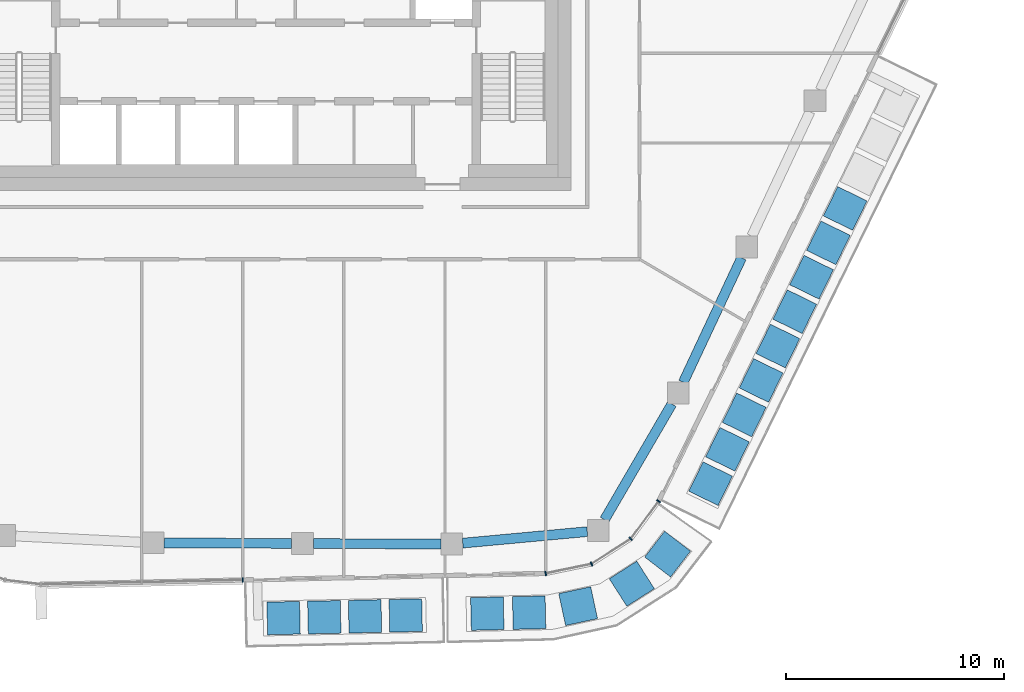
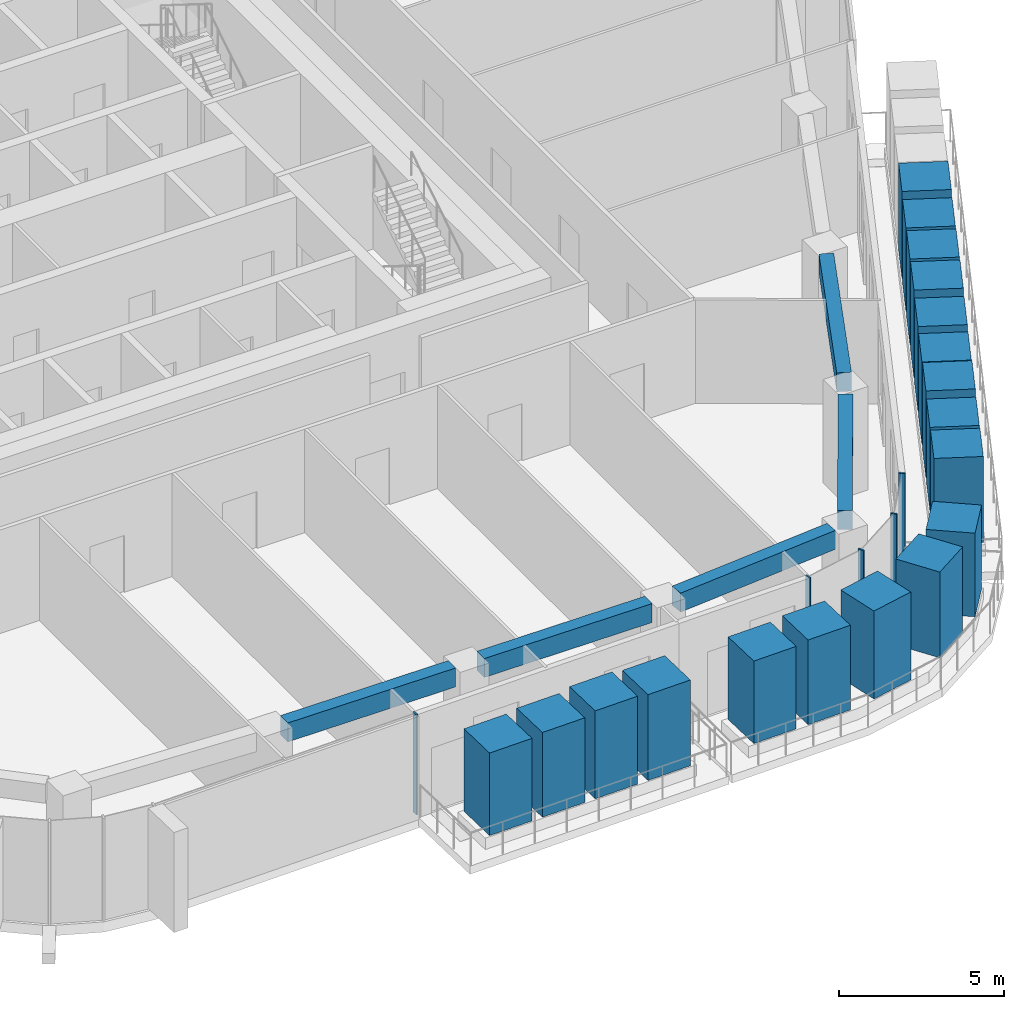
# One storey, part 4 of 23: 23 members, 5 beams, 2 elements without a shape of their own.
"""IFC4 building model written with IfcOpenShell, lengths in metres."""

from ifc_helpers import new_model, si_unit, direction, frame, origin, origin_2d, place, context, subcontext, project, spatial, rectangle, extrude, material, layer, layer_set, material_profile, profile_set, type_object, element, aggregate, save


model = new_model("IFC4")

# Units and contexts
model_context = context("Model", 3, precision=1e-05, world=origin(), true_north=direction((0.0, 1.0)))
body_context = subcontext(model_context, "Body", "Model", "MODEL_VIEW")
ifc_project = project(units=[si_unit("LENGTHUNIT", "METRE"), si_unit("AREAUNIT", "SQUARE_METRE"), si_unit("VOLUMEUNIT", "CUBIC_METRE"), si_unit("PLANEANGLEUNIT", "RADIAN"), si_unit("MASSUNIT", "GRAM", prefix="KILO")], contexts=[model_context])

# Site, building, storey
site_placement = place(None, origin())
site = spatial("IfcSite", under=ifc_project, at=site_placement, CompositionType="ELEMENT")
building_placement = place(site_placement, origin())
building = spatial("IfcBuilding", under=site, at=building_placement, Name="Dongbaek Canopy Tower", CompositionType="ELEMENT")
storey_placement = place(building_placement, frame((0.0, 0.0, 336.199951171875)))
storey = spatial("IfcBuildingStorey", under=building, at=storey_placement, Name="L72", CompositionType="ELEMENT", Elevation=336.199951171875)

# Curtain wall, member
ifc_material_1 = material(Name="Aluminium 6063-T6 pale anodised", Category="aluminium")
ifc_layer = layer(ifc_material_1, 0.199951171875)
ifc_layer_set = layer_set([ifc_layer], Name="CW-1 unitised tower curtain wall")
curtain_wall_type = type_object("IfcCurtainWallType", Name="CW-1 unitised tower curtain wall", PredefinedType="NOTDEFINED", material=ifc_layer_set)
curtain_wall_1_placement = place(storey_placement, origin())
curtain_wall_1 = element("IfcCurtainWall", 1, at=curtain_wall_1_placement, inside=storey, type_object=curtain_wall_type, Name="CW-1 curtain wall F4.1", PredefinedType="NOTDEFINED")
ifc_material_2 = material(Name="Aluminium 6063-T6 pale anodised", Category="aluminium")
ifc_material_profile_1 = material_profile(ifc_material_2, rectangle(XDim=0.199951171875, YDim=0.06005859375, at=origin_2d()), Name="CW-1 mullion 60 x 200")
ifc_profile_set_1 = profile_set([ifc_material_profile_1], Name="Aluminium 6063-T6 pale anodised")
member_type_1 = type_object("IfcMemberType", Name="CW-1 mullion 60 x 200", PredefinedType="MULLION", material=ifc_profile_set_1)
member_1_placement = place(storey_placement, frame((-1.06103515625, -28.872802734375, 0.1201171875), z_axis=(0.0, 0.0, 1.0), x_axis=(0.021675843976, -0.999765051294, 0.0)))
member_1 = element("IfcMember", 2, at=member_1_placement, type_object=member_type_1, Name="CW-1 mullion F4.1.3", PredefinedType="MULLION", context=body_context, shape_type="SweptSolid", body=[
    extrude(rectangle(XDim=0.199951171875, YDim=0.06005859375, at=origin_2d()), origin(), (0.0, 0.0, 1.0), 3.699951171875),
])
aggregate(curtain_wall_1, [member_1])

# Curtain wall, members
curtain_wall_2_placement = place(storey_placement, origin())
curtain_wall_2 = element("IfcCurtainWall", 3, at=curtain_wall_2_placement, inside=storey, type_object=curtain_wall_type, Name="CW-1 curtain wall K5.1", PredefinedType="NOTDEFINED")
member_2_placement = place(storey_placement, frame((12.842041015625, -28.5712890625, 0.0), z_axis=(0.0, 0.0, 1.0), x_axis=(0.20264074946, -0.979253147382, 0.0)))
member_2 = element("IfcMember", 4, at=member_2_placement, type_object=member_type_1, Name="CW-1 mullion K5.1.1", PredefinedType="MULLION", context=body_context, shape_type="SweptSolid", body=[
    extrude(rectangle(XDim=0.199951171875, YDim=0.06005859375, at=origin_2d()), origin(), (0.0, 0.0, 1.0), 3.820068359375),
])
member_3_placement = place(storey_placement, frame((14.9462890625, -28.1357421875, 0.0), z_axis=(0.0, 0.0, 1.0), x_axis=(0.376884256804, -0.926260361331, 0.0)))
member_3 = element("IfcMember", 5, at=member_3_placement, type_object=member_type_1, Name="CW-1 mullion K5.1.2", PredefinedType="MULLION", context=body_context, shape_type="SweptSolid", body=[
    extrude(rectangle(XDim=0.199951171875, YDim=0.06005859375, at=origin_2d()), origin(), (0.0, 0.0, 1.0), 3.820068359375),
])
member_4_placement = place(storey_placement, frame((16.7490234375, -26.9833984375, 0.0), z_axis=(0.0, 0.0, 1.0), x_axis=(0.682503763245, -0.730882078831, 0.0)))
member_4 = element("IfcMember", 6, at=member_4_placement, type_object=member_type_1, Name="CW-1 mullion K5.1.3", PredefinedType="MULLION", context=body_context, shape_type="SweptSolid", body=[
    extrude(rectangle(XDim=0.199951171875, YDim=0.06005859375, at=origin_2d()), origin(), (0.0, 0.0, 1.0), 3.820068359375),
])
member_5_placement = place(storey_placement, frame((18.02734375, -25.25634765625, 0.0), z_axis=(0.0, 0.0, 1.0), x_axis=(0.803742658172, -0.594977091521, 0.0)))
member_5 = element("IfcMember", 7, at=member_5_placement, type_object=member_type_1, Name="CW-1 mullion K5.1.4", PredefinedType="MULLION", context=body_context, shape_type="SweptSolid", body=[
    extrude(rectangle(XDim=0.199951171875, YDim=0.06005859375, at=origin_2d()), origin(), (0.0, 0.0, 1.0), 3.820068359375),
])
aggregate(curtain_wall_2, [member_2, member_3, member_4, member_5])

# Beams
ifc_material_3 = material(Name="Concrete C60", Category="concrete")
ifc_material_profile_2 = material_profile(ifc_material_3, rectangle(XDim=0.449951171875, YDim=0.699951171875, at=origin_2d()), Name="RC EDGE BEAM 450x700 C60")
ifc_profile_set_2 = profile_set([ifc_material_profile_2], Name="Concrete C60")
beam_type = type_object("IfcBeamType", Name="RC EDGE BEAM 450x700 C60", PredefinedType="BEAM", material=ifc_profile_set_2)
beam_1_placement = place(storey_placement, frame((14.751953125, -26.653076171875, 3.469970703125), z_axis=(-0.995766439544, -0.091919518479, 0.0), x_axis=(0.091919518479, -0.995766439544, 0.0)))
element("IfcBeam", 8, at=beam_1_placement, inside=storey, type_object=beam_type, Name="EDGEBEAM:L72:00", PredefinedType="BEAM", context=body_context, shape_type="SweptSolid", body=[
    extrude(rectangle(XDim=0.449951171875, YDim=0.699951171875, at=origin_2d()), origin(), (0.0, 0.0, 1.0), 5.742431640625),
])
beam_2_placement = place(storey_placement, frame((8.033935546875, -27.224853515625, 3.469970703125), z_axis=(-0.999990401851, 0.004381347473, 0.0), x_axis=(-0.004381347473, -0.999990401851, 0.0)))
element("IfcBeam", 9, at=beam_2_placement, inside=storey, type_object=beam_type, Name="EDGEBEAM:L72:01", PredefinedType="BEAM", context=body_context, shape_type="SweptSolid", body=[
    extrude(rectangle(XDim=0.449951171875, YDim=0.699951171875, at=origin_2d()), origin(), (0.0, 0.0, 1.0), 5.850830078125),
])
beam_3_placement = place(storey_placement, frame((1.18310546875, -27.19482421875, 3.469970703125), z_axis=(-0.999990396242, 0.004382627582, 0.0), x_axis=(-0.004382627582, -0.999990396242, 0.0)))
element("IfcBeam", 10, at=beam_3_placement, inside=storey, type_object=beam_type, Name="EDGEBEAM:L72:02", PredefinedType="BEAM", context=body_context, shape_type="SweptSolid", body=[
    extrude(rectangle(XDim=0.449951171875, YDim=0.699951171875, at=origin_2d()), origin(), (0.0, 0.0, 1.0), 5.84912109375),
])
beam_4_placement = place(storey_placement, frame((21.833740234375, -14.087890625, 3.469970703125), z_axis=(-0.424294949226, -0.905524044993, 0.0), x_axis=(0.905524044993, -0.424294949226, 0.0)))
element("IfcBeam", 11, at=beam_4_placement, inside=storey, type_object=beam_type, Name="EDGEBEAM:L72:24", PredefinedType="BEAM", context=body_context, shape_type="SweptSolid", body=[
    extrude(rectangle(XDim=0.449951171875, YDim=0.699951171875, at=origin_2d()), origin(), (0.0, 0.0, 1.0), 6.303466796875),
])
beam_5_placement = place(storey_placement, frame((18.634033203125, -20.7958984375, 3.469970703125), z_axis=(-0.503016078482, -0.864277053258, 0.0), x_axis=(0.864277053258, -0.503016078482, 0.0)))
element("IfcBeam", 12, at=beam_5_placement, inside=storey, type_object=beam_type, Name="EDGEBEAM:L72:25", PredefinedType="BEAM", context=body_context, shape_type="SweptSolid", body=[
    extrude(rectangle(XDim=0.449951171875, YDim=0.699951171875, at=origin_2d()), origin(), (0.0, 0.0, 1.0), 6.14501953125),
])

# Members
ifc_material_4 = material(Name="Concrete C40/50 planter mass with planting", Category="concrete")
ifc_material_profile_3 = material_profile(ifc_material_4, rectangle(XDim=1.5, YDim=1.5, at=origin_2d()), Name="Terrace PLANTER shrub mass 1500 x 1500")
ifc_profile_set_3 = profile_set([ifc_material_profile_3], Name="Concrete C40/50 planter mass with planting")
member_type_2 = type_object("IfcMemberType", Name="Terrace PLANTER shrub mass 1500 x 1500", PredefinedType="USERDEFINED", material=ifc_profile_set_3)
member_6_placement = place(storey_placement, frame((0.81201171875, -30.62255859375, 0.420166015625), z_axis=(0.0, 0.0, 1.0), x_axis=(0.021675843976, -0.999765051294, 0.0)))
element("IfcMember", 13, at=member_6_placement, inside=storey, type_object=member_type_2, Name="Planter shrubs L72 4.1", ObjectType="PLANTER", PredefinedType="USERDEFINED", context=body_context, shape_type="SweptSolid", body=[
    extrude(rectangle(XDim=1.5, YDim=1.5, at=origin_2d()), origin(), (0.0, 0.0, 1.0), 3.0498046875),
])
member_7_placement = place(storey_placement, frame((2.6806640625, -30.58203125, 0.420166015625), z_axis=(0.0, 0.0, 1.0), x_axis=(0.021675843976, -0.999765051294, 0.0)))
element("IfcMember", 14, at=member_7_placement, inside=storey, type_object=member_type_2, Name="Planter shrubs L72 4.2", ObjectType="PLANTER", PredefinedType="USERDEFINED", context=body_context, shape_type="SweptSolid", body=[
    extrude(rectangle(XDim=1.5, YDim=1.5, at=origin_2d()), origin(), (0.0, 0.0, 1.0), 3.1298828125),
])
member_8_placement = place(storey_placement, frame((4.549560546875, -30.54150390625, 0.420166015625), z_axis=(0.0, 0.0, 1.0), x_axis=(0.021675843976, -0.999765051294, 0.0)))
element("IfcMember", 15, at=member_8_placement, inside=storey, type_object=member_type_2, Name="Planter shrubs L72 4.3", ObjectType="PLANTER", PredefinedType="USERDEFINED", context=body_context, shape_type="SweptSolid", body=[
    extrude(rectangle(XDim=1.5, YDim=1.5, at=origin_2d()), origin(), (0.0, 0.0, 1.0), 3.25),
])
member_9_placement = place(storey_placement, frame((6.41845703125, -30.5009765625, 0.420166015625), z_axis=(0.0, 0.0, 1.0), x_axis=(0.021675843976, -0.999765051294, 0.0)))
element("IfcMember", 16, at=member_9_placement, inside=storey, type_object=member_type_2, Name="Planter shrubs L72 4.4", ObjectType="PLANTER", PredefinedType="USERDEFINED", context=body_context, shape_type="SweptSolid", body=[
    extrude(rectangle(XDim=1.5, YDim=1.5, at=origin_2d()), origin(), (0.0, 0.0, 1.0), 3.169921875),
])
member_10_placement = place(storey_placement, frame((10.16259765625, -30.41796875, 0.420166015625), z_axis=(0.0, 0.0, 1.0), x_axis=(0.023502753283, -0.999723772143, 0.0)))
element("IfcMember", 17, at=member_10_placement, inside=storey, type_object=member_type_2, Name="Planter shrubs L72 8.1", ObjectType="PLANTER", PredefinedType="USERDEFINED", context=body_context, shape_type="SweptSolid", body=[
    extrude(rectangle(XDim=1.5, YDim=1.5, at=origin_2d()), origin(), (0.0, 0.0, 1.0), 3.0498046875),
])
member_11_placement = place(storey_placement, frame((12.08349609375, -30.372802734375, 0.420166015625), z_axis=(0.0, 0.0, 1.0), x_axis=(0.023502753283, -0.999723772143, 0.0)))
element("IfcMember", 18, at=member_11_placement, inside=storey, type_object=member_type_2, Name="Planter shrubs L72 8.2", ObjectType="PLANTER", PredefinedType="USERDEFINED", context=body_context, shape_type="SweptSolid", body=[
    extrude(rectangle(XDim=1.5, YDim=1.5, at=origin_2d()), origin(), (0.0, 0.0, 1.0), 3.1298828125),
])
member_12_placement = place(storey_placement, frame((14.332763671875, -30.07275390625, 0.420166015625), z_axis=(0.0, 0.0, 1.0), x_axis=(0.210435348732, -0.977607776158, 0.0)))
element("IfcMember", 19, at=member_12_placement, inside=storey, type_object=member_type_2, Name="Planter shrubs L72 8.3", ObjectType="PLANTER", PredefinedType="USERDEFINED", context=body_context, shape_type="SweptSolid", body=[
    extrude(rectangle(XDim=1.5, YDim=1.5, at=origin_2d()), origin(), (0.0, 0.0, 1.0), 3.25),
])
member_13_placement = place(storey_placement, frame((16.796630859375, -29.044189453125, 0.420166015625), z_axis=(0.0, 0.0, 1.0), x_axis=(0.538626876944, -0.842544412737, 0.0)))
element("IfcMember", 20, at=member_13_placement, inside=storey, type_object=member_type_2, Name="Planter shrubs L72 8.4", ObjectType="PLANTER", PredefinedType="USERDEFINED", context=body_context, shape_type="SweptSolid", body=[
    extrude(rectangle(XDim=1.5, YDim=1.5, at=origin_2d()), origin(), (0.0, 0.0, 1.0), 3.169921875),
])
member_14_placement = place(storey_placement, frame((18.43896484375, -27.685302734375, 0.420166015625), z_axis=(0.0, 0.0, 1.0), x_axis=(0.792731588939, -0.60957085552, 0.0)))
element("IfcMember", 21, at=member_14_placement, inside=storey, type_object=member_type_2, Name="Planter shrubs L72 8.5", ObjectType="PLANTER", PredefinedType="USERDEFINED", context=body_context, shape_type="SweptSolid", body=[
    extrude(rectangle(XDim=1.5, YDim=1.5, at=origin_2d()), origin(), (0.0, 0.0, 1.0), 3.08984375),
])
member_15_placement = place(storey_placement, frame((20.4130859375, -24.452880859375, 0.420166015625), z_axis=(0.0, 0.0, 1.0), x_axis=(0.89832218457, -0.439337288093, 0.0)))
element("IfcMember", 22, at=member_15_placement, inside=storey, type_object=member_type_2, Name="Planter shrubs L72 5.1", ObjectType="PLANTER", PredefinedType="USERDEFINED", context=body_context, shape_type="SweptSolid", body=[
    extrude(rectangle(XDim=1.5, YDim=1.5, at=origin_2d()), origin(), (0.0, 0.0, 1.0), 3.169921875),
])
member_16_placement = place(storey_placement, frame((21.185302734375, -22.87353515625, 0.420166015625), z_axis=(0.0, 0.0, 1.0), x_axis=(0.89832218457, -0.439337288093, 0.0)))
element("IfcMember", 23, at=member_16_placement, inside=storey, type_object=member_type_2, Name="Planter shrubs L72 5.2", ObjectType="PLANTER", PredefinedType="USERDEFINED", context=body_context, shape_type="SweptSolid", body=[
    extrude(rectangle(XDim=1.5, YDim=1.5, at=origin_2d()), origin(), (0.0, 0.0, 1.0), 3.08984375),
])
member_17_placement = place(storey_placement, frame((21.957763671875, -21.29443359375, 0.420166015625), z_axis=(0.0, 0.0, 1.0), x_axis=(0.89832218457, -0.439337288093, 0.0)))
element("IfcMember", 24, at=member_17_placement, inside=storey, type_object=member_type_2, Name="Planter shrubs L72 5.3", ObjectType="PLANTER", PredefinedType="USERDEFINED", context=body_context, shape_type="SweptSolid", body=[
    extrude(rectangle(XDim=1.5, YDim=1.5, at=origin_2d()), origin(), (0.0, 0.0, 1.0), 3.2099609375),
])
member_18_placement = place(storey_placement, frame((22.72998046875, -19.715087890625, 0.420166015625), z_axis=(0.0, 0.0, 1.0), x_axis=(0.89832218457, -0.439337288093, 0.0)))
element("IfcMember", 25, at=member_18_placement, inside=storey, type_object=member_type_2, Name="Planter shrubs L72 5.4", ObjectType="PLANTER", PredefinedType="USERDEFINED", context=body_context, shape_type="SweptSolid", body=[
    extrude(rectangle(XDim=1.5, YDim=1.5, at=origin_2d()), origin(), (0.0, 0.0, 1.0), 3.0498046875),
])
member_19_placement = place(storey_placement, frame((23.50244140625, -18.1357421875, 0.420166015625), z_axis=(0.0, 0.0, 1.0), x_axis=(0.89832218457, -0.439337288093, 0.0)))
element("IfcMember", 26, at=member_19_placement, inside=storey, type_object=member_type_2, Name="Planter shrubs L72 5.5", ObjectType="PLANTER", PredefinedType="USERDEFINED", context=body_context, shape_type="SweptSolid", body=[
    extrude(rectangle(XDim=1.5, YDim=1.5, at=origin_2d()), origin(), (0.0, 0.0, 1.0), 3.1298828125),
])
member_20_placement = place(storey_placement, frame((24.27490234375, -16.556396484375, 0.420166015625), z_axis=(0.0, 0.0, 1.0), x_axis=(0.89832218457, -0.439337288093, 0.0)))
element("IfcMember", 27, at=member_20_placement, inside=storey, type_object=member_type_2, Name="Planter shrubs L72 5.6", ObjectType="PLANTER", PredefinedType="USERDEFINED", context=body_context, shape_type="SweptSolid", body=[
    extrude(rectangle(XDim=1.5, YDim=1.5, at=origin_2d()), origin(), (0.0, 0.0, 1.0), 3.25),
])
member_21_placement = place(storey_placement, frame((25.047119140625, -14.977294921875, 0.420166015625), z_axis=(0.0, 0.0, 1.0), x_axis=(0.89832218457, -0.439337288093, 0.0)))
element("IfcMember", 28, at=member_21_placement, inside=storey, type_object=member_type_2, Name="Planter shrubs L72 5.7", ObjectType="PLANTER", PredefinedType="USERDEFINED", context=body_context, shape_type="SweptSolid", body=[
    extrude(rectangle(XDim=1.5, YDim=1.5, at=origin_2d()), origin(), (0.0, 0.0, 1.0), 3.169921875),
])
member_22_placement = place(storey_placement, frame((25.819580078125, -13.39794921875, 0.420166015625), z_axis=(0.0, 0.0, 1.0), x_axis=(0.89832218457, -0.439337288093, 0.0)))
element("IfcMember", 29, at=member_22_placement, inside=storey, type_object=member_type_2, Name="Planter shrubs L72 5.8", ObjectType="PLANTER", PredefinedType="USERDEFINED", context=body_context, shape_type="SweptSolid", body=[
    extrude(rectangle(XDim=1.5, YDim=1.5, at=origin_2d()), origin(), (0.0, 0.0, 1.0), 3.08984375),
])
member_23_placement = place(storey_placement, frame((26.591796875, -11.818603515625, 0.420166015625), z_axis=(0.0, 0.0, 1.0), x_axis=(0.89832218457, -0.439337288093, 0.0)))
element("IfcMember", 30, at=member_23_placement, inside=storey, type_object=member_type_2, Name="Planter shrubs L72 5.9", ObjectType="PLANTER", PredefinedType="USERDEFINED", context=body_context, shape_type="SweptSolid", body=[
    extrude(rectangle(XDim=1.5, YDim=1.5, at=origin_2d()), origin(), (0.0, 0.0, 1.0), 3.2099609375),
])

save(model, "model.ifc")
